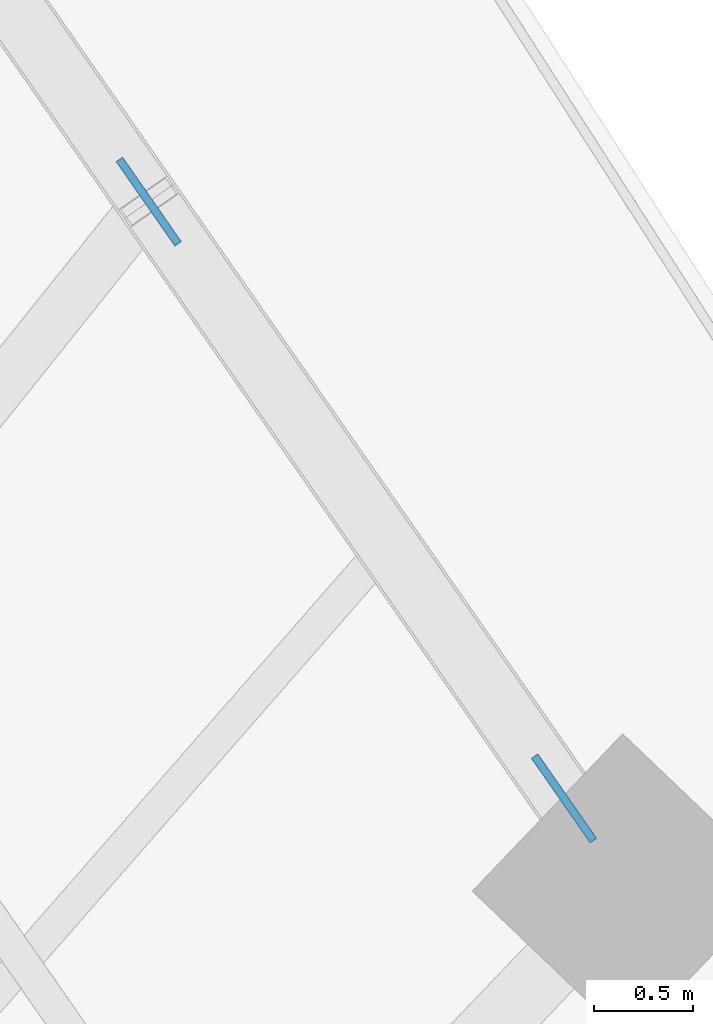
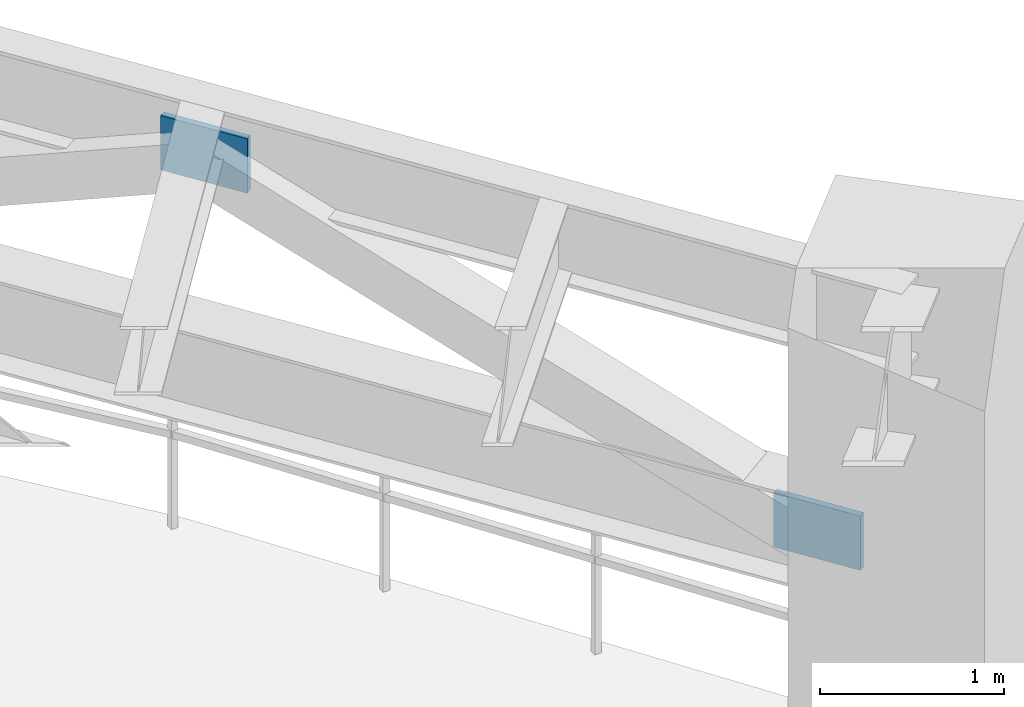
# One storey, part 7 of 19: 2 plates.
"""IFC4 building model written with IfcOpenShell, lengths in metres."""

from ifc_helpers import new_model, si_unit, direction, frame, origin, origin_2d, place, context, subcontext, project, spatial, rectangle, extrude, source, transform, mapped, material, layer, layer_set, type_object, element, save


model = new_model("IFC4")

# Units and contexts
model_context = context("Model", 3, precision=1e-05, world=origin(), true_north=direction((0.0, 1.0)))
body_context = subcontext(model_context, "Body", "Model", "MODEL_VIEW")
ifc_project = project(units=[si_unit("LENGTHUNIT", "METRE"), si_unit("AREAUNIT", "SQUARE_METRE"), si_unit("VOLUMEUNIT", "CUBIC_METRE"), si_unit("PLANEANGLEUNIT", "RADIAN"), si_unit("MASSUNIT", "GRAM", prefix="KILO")], contexts=[model_context])

# Site, building, storey
site_placement = place(None, origin())
site = spatial("IfcSite", under=ifc_project, at=site_placement, CompositionType="ELEMENT")
building_placement = place(site_placement, origin())
building = spatial("IfcBuilding", under=site, at=building_placement, Name="Breltana Convention Tower", CompositionType="ELEMENT")
storey_placement = place(building_placement, frame((0.0, 0.0, 194.39990234375)))
storey = spatial("IfcBuildingStorey", under=building, at=storey_placement, Name="L47", CompositionType="ELEMENT", Elevation=194.39990234375)

# Plates
ifc_material = material(Name="Steel S355", Category="steel")
ifc_layer = layer(ifc_material, 0.0400390625, Name="Steel S355")
ifc_layer_set = layer_set([ifc_layer], Name="Steel S355")
plate_type = type_object("IfcPlateType", Name="PL-GUSSET-40", PredefinedType="USERDEFINED", material=ifc_layer_set)
shared_shape = source(origin(), body_context, "Body", "SweptSolid", [
    extrude(rectangle(XDim=0.52001953125, YDim=0.0400390625, at=origin_2d()), origin(), (0.0, 0.0, 1.0), 0.360107421875),
])
for number, where, z_axis, x_axis, name in (
    (1, (77.579833984375, 58.962158203125, 3.9736328125), (0.0, 0.0, 1.0), (0.571143442153, -0.820850271661, 0.0), "L47 Structural Brace Node Gusset Plate 049"),
    (2, (79.678955078125, 55.94580078125, 2.56982421875), (0.0, 0.0, 1.0), (0.571143442153, -0.820850271661, 0.0), "L47 Structural Brace Node Gusset Plate 050"),
):
    element("IfcPlate", number, at=place(storey_placement, frame(where, z_axis=z_axis, x_axis=x_axis)), inside=storey, type_object=plate_type, Name=name, ObjectType="GUSSET_PLATE", PredefinedType="USERDEFINED", context=body_context, shape_type="MappedRepresentation", body=[
        mapped(shared_shape, transform((0.0, 0.0, 0.0), scale=1.0)),
    ])

save(model, "model.ifc")
